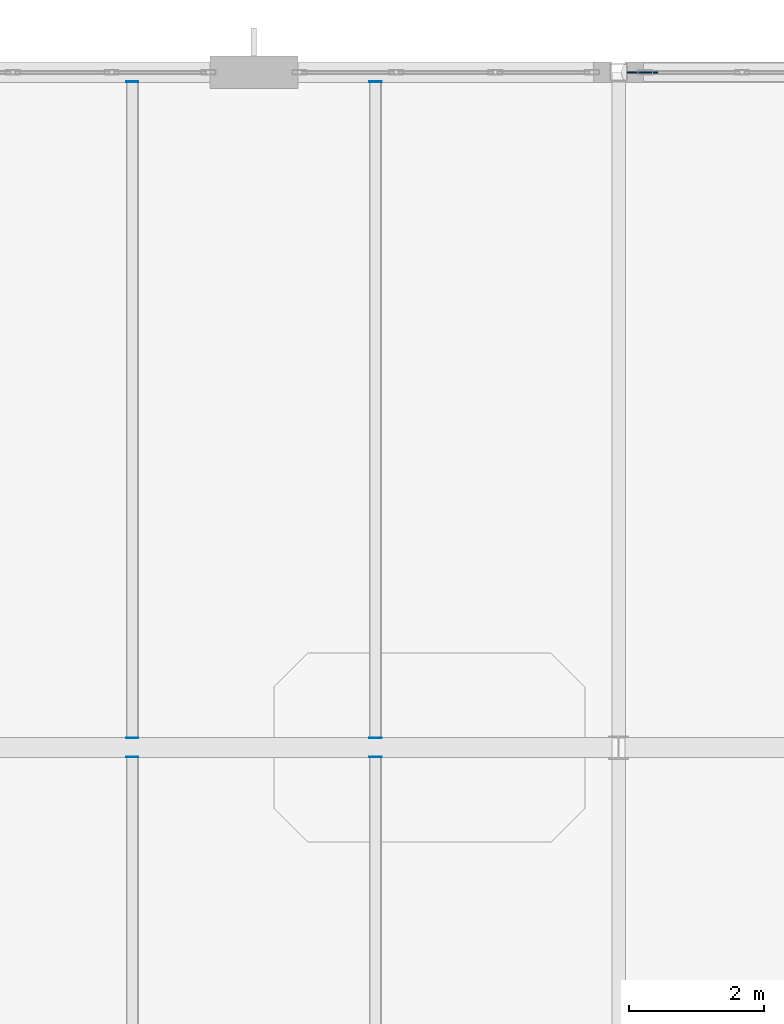
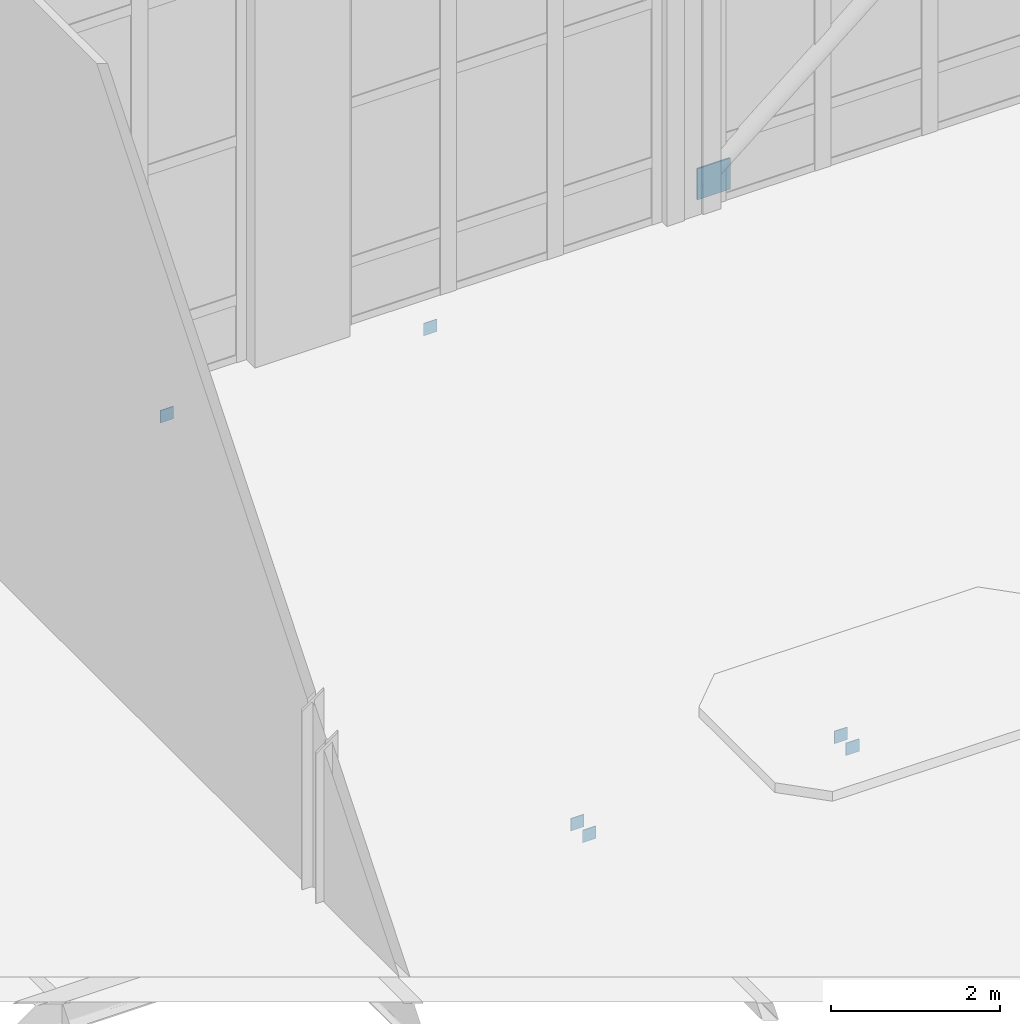
# One storey, part 83 of 100: 7 plates.
"""IFC4 building model written with IfcOpenShell, lengths in metres."""

from ifc_helpers import new_model, si_unit, direction, frame, origin, origin_2d, place, context, subcontext, project, spatial, rectangle, extrude, material, layer, layer_set, type_object, element, save


model = new_model("IFC4")

# Units and contexts
model_context = context("Model", 3, precision=1e-05, world=origin(), true_north=direction((0.0, 1.0)))
body_context = subcontext(model_context, "Body", "Model", "MODEL_VIEW")
ifc_project = project(units=[si_unit("LENGTHUNIT", "METRE"), si_unit("AREAUNIT", "SQUARE_METRE"), si_unit("VOLUMEUNIT", "CUBIC_METRE"), si_unit("PLANEANGLEUNIT", "RADIAN"), si_unit("MASSUNIT", "GRAM", prefix="KILO")], contexts=[model_context])

# Site, building, storey
site_placement = place(None, origin())
site = spatial("IfcSite", under=ifc_project, at=site_placement, CompositionType="ELEMENT")
building_placement = place(site_placement, origin())
building = spatial("IfcBuilding", under=site, at=building_placement, Name="Tasgan Crest Museum", CompositionType="ELEMENT")
storey_placement = place(building_placement, frame((0.0, 0.0, 14.39990234375)))
storey = spatial("IfcBuildingStorey", under=building, at=storey_placement, Name="L03", CompositionType="ELEMENT", Elevation=14.39990234375)

# Plates
ifc_material_1 = material(Name="Steel S355K2", Category="steel")
ifc_layer_1 = layer(ifc_material_1, 0.179931640625, Name="PL-CAP-10x180x180")
ifc_layer_set_1 = layer_set([ifc_layer_1], Name="Steel S355K2")
plate_type_1 = type_object("IfcPlateType", Name="PL-CAP-10x180x180", PredefinedType="USERDEFINED", material=ifc_layer_set_1)
for number, where, z_axis, x_axis, name in (
    (1, (57.60009765625, 102.139892578125, -0.419921875), (0.0, 0.0, 1.0), (0.0, 1.0, 0.0), "End plate Secondary joist L03 X=57.6 Y=102.0-112.0 end A"),
    (2, (57.60009765625, 111.860107421875, -0.419921875), (0.0, 0.0, 1.0), (0.0, 1.0, 0.0), "End plate Secondary joist L03 X=57.6 Y=102.0-112.0 end B"),
    (3, (61.199951171875, 102.139892578125, -0.419921875), (0.0, 0.0, 1.0), (0.0, 1.0, 0.0), "End plate Secondary joist L03 X=61.2 Y=102.0-112.0 end A"),
    (4, (61.199951171875, 111.860107421875, -0.419921875), (0.0, 0.0, 1.0), (0.0, 1.0, 0.0), "End plate Secondary joist L03 X=61.2 Y=102.0-112.0 end B"),
    (5, (57.60009765625, 101.860107421875, -0.419921875), (0.0, 0.0, 1.0), (0.0, 1.0, 0.0), "End plate Secondary joist L03 X=57.6 Y=92.0-102.0 end B"),
    (6, (61.199951171875, 101.860107421875, -0.419921875), (0.0, 0.0, 1.0), (0.0, 1.0, 0.0), "End plate Secondary joist L03 X=61.2 Y=92.0-102.0 end B"),
):
    element("IfcPlate", number, at=place(storey_placement, frame(where, z_axis=z_axis, x_axis=x_axis)), inside=storey, type_object=plate_type_1, Name=name, ObjectType="END PLATE", PredefinedType="USERDEFINED", context=body_context, shape_type="SweptSolid", body=[
        extrude(rectangle(XDim=0.010009765625, YDim=0.179931640625, at=origin_2d()), origin(), (0.0, 0.0, 1.0), 0.179931640625),
    ])
ifc_material_2 = material(Name="Steel S355K2", Category="steel")
ifc_layer_2 = layer(ifc_material_2, 0.02001953125, Name="PL-GUSSET-450")
ifc_layer_set_2 = layer_set([ifc_layer_2], Name="Steel S355K2")
plate_type_2 = type_object("IfcPlateType", Name="PL-GUSSET-450", PredefinedType="USERDEFINED", material=ifc_layer_set_2)
plate_placement = place(storey_placement, frame((65.155029296875, 112.0, 0.125), z_axis=(0.0, 0.0, 1.0), x_axis=(1.0, 0.0, 0.0)))
element("IfcPlate", 7, at=plate_placement, inside=storey, type_object=plate_type_2, Name="Diagonal gusset plate L03 M 64.8", ObjectType="GUSSET PLATE", PredefinedType="USERDEFINED", context=body_context, shape_type="SweptSolid", body=[
    extrude(rectangle(XDim=0.449951171875, YDim=0.02001953125, at=origin_2d()), origin(), (0.0, 0.0, 1.0), 0.449951171875),
])

save(model, "model.ifc")
